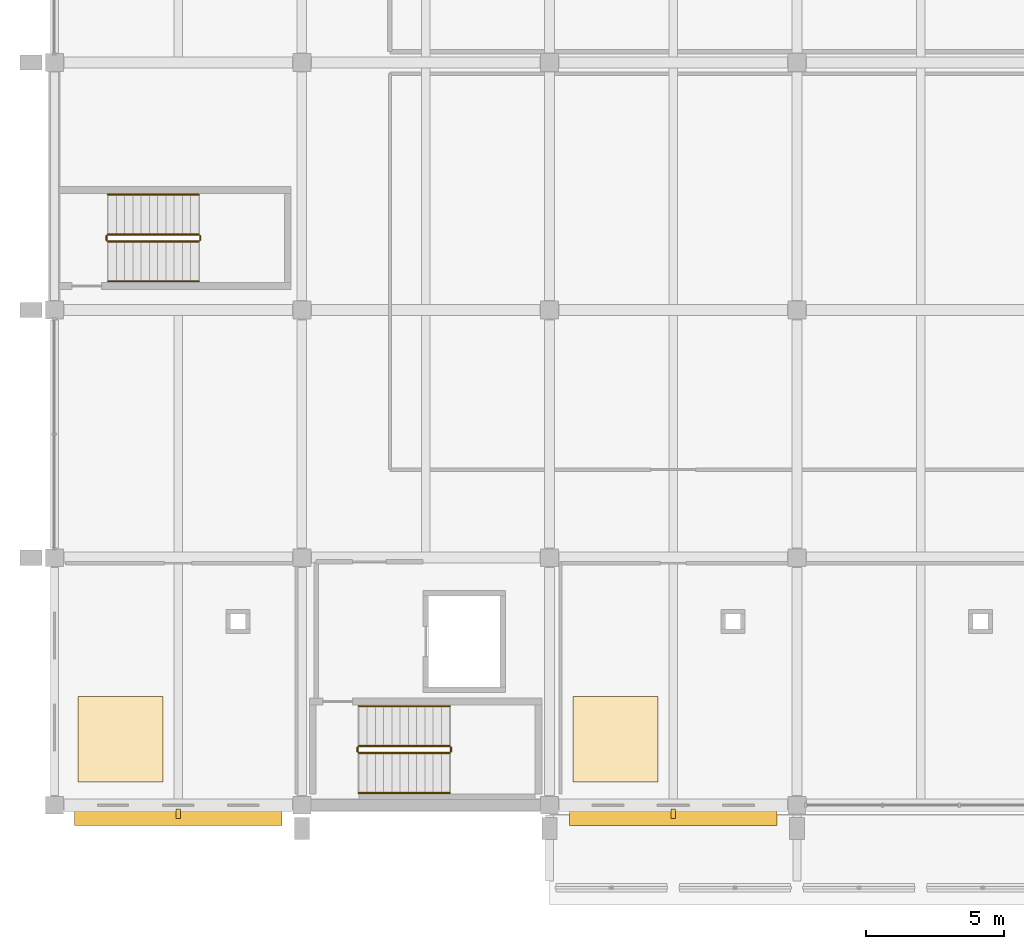
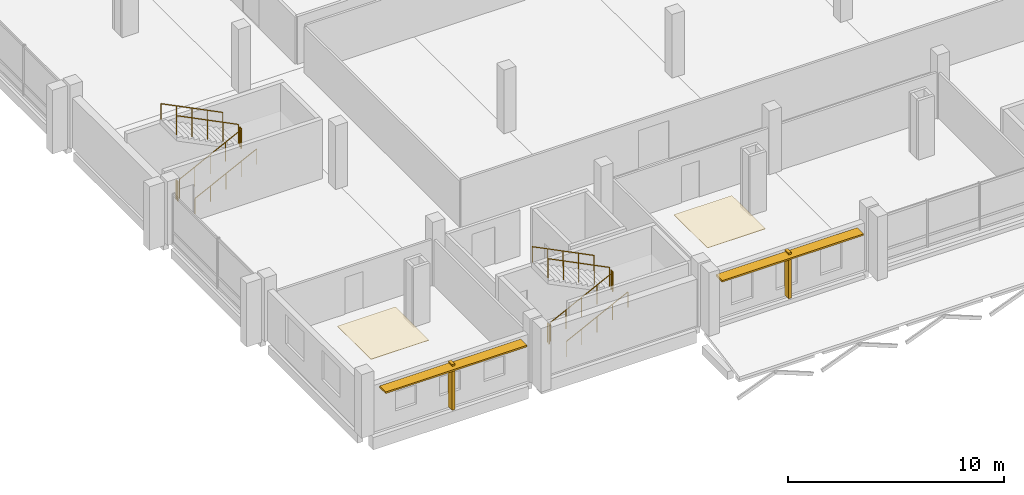
# One storey, part 119 of 132: 12 railings, 4 shading devices, 2 coverings.
"""IFC4 building model written with IfcOpenShell, lengths in metres."""

from ifc_helpers import new_model, si_unit, direction, frame, origin, origin_2d, place, context, subcontext, project, spatial, polyline, rectangle, circle, outline, extrude, material, layer, layer_set, type_object, element, save


model = new_model("IFC4")

# Units and contexts
model_context = context("Model", 3, precision=1e-05, world=origin(), true_north=direction((0.0, 1.0)))
body_context = subcontext(model_context, "Body", "Model", "MODEL_VIEW")
ifc_project = project(units=[si_unit("LENGTHUNIT", "METRE"), si_unit("AREAUNIT", "SQUARE_METRE"), si_unit("VOLUMEUNIT", "CUBIC_METRE"), si_unit("PLANEANGLEUNIT", "RADIAN"), si_unit("MASSUNIT", "GRAM", prefix="KILO")], contexts=[model_context])

# Site, building, storey
site_placement = place(None, origin())
site = spatial("IfcSite", under=ifc_project, at=site_placement, CompositionType="ELEMENT")
building_placement = place(site_placement, origin())
building = spatial("IfcBuilding", under=site, at=building_placement, Name="Tharagai Park Tramway Depot", CompositionType="ELEMENT")
storey_placement = place(building_placement, frame((0.0, 0.0, 4.800048828125)))
storey = spatial("IfcBuildingStorey", under=building, at=storey_placement, Name="L01", CompositionType="ELEMENT", Elevation=4.800048828125)

# Coverings
ifc_material_1 = material(Name="Acoustic mineral-fibre tile", Category="gypsum")
ifc_layer_1 = layer(ifc_material_1, 0.02490234375)
ifc_layer_set_1 = layer_set([ifc_layer_1], Name="Acoustic mineral-fibre tile")
covering_type = type_object("IfcCoveringType", Name="FN-02", PredefinedType="CEILING", material=ifc_layer_set_1)
covering_1_placement = place(storey_placement, frame((0.0, 0.0, 3.326904296875)))
element("IfcCovering", 1, at=covering_1_placement, inside=storey, type_object=covering_type, Name="Fleet Maintenance Planning Office Acoustic Ceiling", PredefinedType="CEILING", context=body_context, shape_type="SweptSolid", body=[
    extrude(outline(polyline([(0.85009765625, 0.85009765625), (3.949951171875, 0.85009765625), (3.949951171875, 3.949951171875), (0.85009765625, 3.949951171875), (0.85009765625, 0.85009765625)])), origin(), (0.0, 0.0, 1.0), 0.025146484375),
])
covering_2_placement = place(storey_placement, frame((0.0, 0.0, 3.326904296875)))
element("IfcCovering", 2, at=covering_2_placement, inside=storey, type_object=covering_type, Name="Rolling-Stock Engineering Studio Acoustic Ceiling", PredefinedType="CEILING", context=body_context, shape_type="SweptSolid", body=[
    extrude(outline(polyline([(18.85009765625, 0.85009765625), (21.949951171875, 0.85009765625), (21.949951171875, 3.949951171875), (18.85009765625, 3.949951171875), (18.85009765625, 0.85009765625)])), origin(), (0.0, 0.0, 1.0), 0.025146484375),
])

# Railings
ifc_material_2 = material(Name="Galvanised steel", Category="steel")
railing_type_1 = type_object("IfcRailingType", Name="HR-02", PredefinedType="GUARDRAIL", material=ifc_material_2)
railing_1_placement = place(storey_placement, frame((11.070068359375, 1.89990234375, 0.14990234375)))
element("IfcRailing", 3, at=railing_1_placement, inside=storey, type_object=railing_type_1, Name="L01 ST-01 stair guard 1", PredefinedType="GUARDRAIL", context=body_context, shape_type="SweptSolid", body=[
    extrude(circle(Radius=0.02392578125, at=origin_2d()), frame((0.0, 0.0, 1.076171875), z_axis=(0.894413956696, 0.0, 0.447240063129), x_axis=(0.0, 1.0, 0.0)), (0.0, 0.0, 1.0), 3.689697265625),
    extrude(circle(Radius=0.02099609375, at=origin_2d()), origin(), (0.0, 0.0, 1.0), 1.052001953125),
    extrude(circle(Radius=0.02099609375, at=origin_2d()), frame((0.824951171875, 0.0, 0.41259765625)), (0.0, 0.0, 1.0), 1.052001953125),
    extrude(circle(Radius=0.02099609375, at=origin_2d()), frame((1.64990234375, 0.0, 0.8251953125)), (0.0, 0.0, 1.0), 1.052001953125),
    extrude(circle(Radius=0.02099609375, at=origin_2d()), frame((2.47509765625, 0.0, 1.237548828125)), (0.0, 0.0, 1.0), 1.052001953125),
    extrude(circle(Radius=0.02099609375, at=origin_2d()), frame((3.300048828125, 0.0, 1.650146484375)), (0.0, 0.0, 1.0), 1.052001953125),
])
railing_2_placement = place(storey_placement, frame((14.419921875, 1.949951171875, 1.800048828125)))
element("IfcRailing", 4, at=railing_2_placement, inside=storey, type_object=railing_type_1, Name="L01 ST-01 stair guard 2", PredefinedType="GUARDRAIL", context=body_context, shape_type="SweptSolid", body=[
    extrude(circle(Radius=0.02392578125, at=origin_2d()), frame((0.0, 0.0, 1.076171875), z_axis=(0.0, 1.0, 0.0), x_axis=(-1.0, 0.0, 0.0)), (0.0, 0.0, 1.0), 0.150146484375),
    extrude(circle(Radius=0.02099609375, at=origin_2d()), origin(), (0.0, 0.0, 1.0), 1.052001953125),
    extrude(circle(Radius=0.02099609375, at=origin_2d()), frame((0.0, 0.150146484375, 0.0)), (0.0, 0.0, 1.0), 1.052001953125),
])
railing_3_placement = place(storey_placement, frame((14.3701171875, 2.14990234375, 1.949951171875)))
element("IfcRailing", 5, at=railing_3_placement, inside=storey, type_object=railing_type_1, Name="L01 ST-01 stair guard 3", PredefinedType="GUARDRAIL", context=body_context, shape_type="SweptSolid", body=[
    extrude(circle(Radius=0.02392578125, at=origin_2d()), frame((0.0, 0.0, 1.076171875), z_axis=(-0.894440424912, 0.0, 0.447187126696), x_axis=(0.0, -1.0, 0.0)), (0.0, 0.0, 1.0), 3.689453125),
    extrude(circle(Radius=0.02099609375, at=origin_2d()), origin(), (0.0, 0.0, 1.0), 1.052001953125),
    extrude(circle(Radius=0.02099609375, at=origin_2d()), frame((-0.824951171875, 0.0, 0.41259765625)), (0.0, 0.0, 1.0), 1.052001953125),
    extrude(circle(Radius=0.02099609375, at=origin_2d()), frame((-1.64990234375, 0.0, 0.824951171875)), (0.0, 0.0, 1.0), 1.052001953125),
    extrude(circle(Radius=0.02099609375, at=origin_2d()), frame((-2.47509765625, 0.0, 1.2373046875)), (0.0, 0.0, 1.0), 1.052001953125),
    extrude(circle(Radius=0.02099609375, at=origin_2d()), frame((-3.300048828125, 0.0, 1.64990234375)), (0.0, 0.0, 1.0), 1.052001953125),
])
railing_4_placement = place(storey_placement, frame((11.02001953125, 1.949951171875, 0.0)))
element("IfcRailing", 6, at=railing_4_placement, inside=storey, type_object=railing_type_1, Name="L01 ST-01 stair guard 4", PredefinedType="GUARDRAIL", context=body_context, shape_type="SweptSolid", body=[
    extrude(circle(Radius=0.02392578125, at=origin_2d()), frame((0.0, 0.0, 1.076171875), z_axis=(0.0, 1.0, 0.0), x_axis=(-1.0, 0.0, 0.0)), (0.0, 0.0, 1.0), 0.150146484375),
    extrude(circle(Radius=0.02099609375, at=origin_2d()), origin(), (0.0, 0.0, 1.0), 1.052001953125),
    extrude(circle(Radius=0.02099609375, at=origin_2d()), frame((0.0, 0.150146484375, 0.0)), (0.0, 0.0, 1.0), 1.052001953125),
])
railing_5_placement = place(storey_placement, frame((1.949951171875, 20.5, 0.14990234375)))
element("IfcRailing", 7, at=railing_5_placement, inside=storey, type_object=railing_type_1, Name="L01 ST-03 stair guard 1", PredefinedType="GUARDRAIL", context=body_context, shape_type="SweptSolid", body=[
    extrude(circle(Radius=0.02392578125, at=origin_2d()), frame((0.0, 0.0, 1.076171875), z_axis=(0.894413956696, 0.0, 0.447240063129), x_axis=(0.0, 1.0, 0.0)), (0.0, 0.0, 1.0), 3.689697265625),
    extrude(circle(Radius=0.02099609375, at=origin_2d()), origin(), (0.0, 0.0, 1.0), 1.052001953125),
    extrude(circle(Radius=0.02099609375, at=origin_2d()), frame((0.824951171875, 0.0, 0.41259765625)), (0.0, 0.0, 1.0), 1.052001953125),
    extrude(circle(Radius=0.02099609375, at=origin_2d()), frame((1.64990234375, 0.0, 0.8251953125)), (0.0, 0.0, 1.0), 1.052001953125),
    extrude(circle(Radius=0.02099609375, at=origin_2d()), frame((2.47509765625, 0.0, 1.237548828125)), (0.0, 0.0, 1.0), 1.052001953125),
    extrude(circle(Radius=0.02099609375, at=origin_2d()), frame((3.300048828125, 0.0, 1.650146484375)), (0.0, 0.0, 1.0), 1.052001953125),
])
railing_6_placement = place(storey_placement, frame((5.300048828125, 20.550048828125, 1.800048828125)))
element("IfcRailing", 8, at=railing_6_placement, inside=storey, type_object=railing_type_1, Name="L01 ST-03 stair guard 2", PredefinedType="GUARDRAIL", context=body_context, shape_type="SweptSolid", body=[
    extrude(circle(Radius=0.02392578125, at=origin_2d()), frame((0.0, 0.0, 1.076171875), z_axis=(0.0, 1.0, 0.0), x_axis=(-1.0, 0.0, 0.0)), (0.0, 0.0, 1.0), 0.14990234375),
    extrude(circle(Radius=0.02099609375, at=origin_2d()), origin(), (0.0, 0.0, 1.0), 1.052001953125),
    extrude(circle(Radius=0.02099609375, at=origin_2d()), frame((0.0, 0.14990234375, 0.0)), (0.0, 0.0, 1.0), 1.052001953125),
])
railing_7_placement = place(storey_placement, frame((5.25, 20.75, 1.949951171875)))
element("IfcRailing", 9, at=railing_7_placement, inside=storey, type_object=railing_type_1, Name="L01 ST-03 stair guard 3", PredefinedType="GUARDRAIL", context=body_context, shape_type="SweptSolid", body=[
    extrude(circle(Radius=0.02392578125, at=origin_2d()), frame((0.0, 0.0, 1.076171875), z_axis=(-0.894440424912, 0.0, 0.447187126696), x_axis=(0.0, -1.0, 0.0)), (0.0, 0.0, 1.0), 3.689453125),
    extrude(circle(Radius=0.02099609375, at=origin_2d()), origin(), (0.0, 0.0, 1.0), 1.052001953125),
    extrude(circle(Radius=0.02099609375, at=origin_2d()), frame((-0.824951171875, 0.0, 0.41259765625)), (0.0, 0.0, 1.0), 1.052001953125),
    extrude(circle(Radius=0.02099609375, at=origin_2d()), frame((-1.64990234375, 0.0, 0.824951171875)), (0.0, 0.0, 1.0), 1.052001953125),
    extrude(circle(Radius=0.02099609375, at=origin_2d()), frame((-2.47509765625, 0.0, 1.2373046875)), (0.0, 0.0, 1.0), 1.052001953125),
    extrude(circle(Radius=0.02099609375, at=origin_2d()), frame((-3.300048828125, 0.0, 1.64990234375)), (0.0, 0.0, 1.0), 1.052001953125),
])
railing_8_placement = place(storey_placement, frame((1.89990234375, 20.550048828125, 0.0)))
element("IfcRailing", 10, at=railing_8_placement, inside=storey, type_object=railing_type_1, Name="L01 ST-03 stair guard 4", PredefinedType="GUARDRAIL", context=body_context, shape_type="SweptSolid", body=[
    extrude(circle(Radius=0.02392578125, at=origin_2d()), frame((0.0, 0.0, 1.076171875), z_axis=(0.0, 1.0, 0.0), x_axis=(-1.0, 0.0, 0.0)), (0.0, 0.0, 1.0), 0.14990234375),
    extrude(circle(Radius=0.02099609375, at=origin_2d()), origin(), (0.0, 0.0, 1.0), 1.052001953125),
    extrude(circle(Radius=0.02099609375, at=origin_2d()), frame((0.0, 0.14990234375, 0.0)), (0.0, 0.0, 1.0), 1.052001953125),
])
railing_type_2 = type_object("IfcRailingType", Name="HR-03", PredefinedType="HANDRAIL", material=ifc_material_2)
railing_9_placement = place(storey_placement, frame((11.070068359375, 0.449951171875, 0.14990234375)))
element("IfcRailing", 11, at=railing_9_placement, inside=storey, type_object=railing_type_2, Name="L01 ST-01 stair handrail 1", PredefinedType="HANDRAIL", context=body_context, shape_type="SweptSolid", body=[
    extrude(circle(Radius=0.02392578125, at=origin_2d()), frame((0.0, 0.0, 0.8759765625), z_axis=(0.894413956696, 0.0, 0.447240063129), x_axis=(0.0, 1.0, 0.0)), (0.0, 0.0, 1.0), 3.689697265625),
    extrude(circle(Radius=0.02099609375, at=origin_2d()), origin(), (0.0, 0.0, 1.0), 0.851806640625),
    extrude(circle(Radius=0.02099609375, at=origin_2d()), frame((0.824951171875, 0.0, 0.41259765625)), (0.0, 0.0, 1.0), 0.851806640625),
    extrude(circle(Radius=0.02099609375, at=origin_2d()), frame((1.64990234375, 0.0, 0.8251953125)), (0.0, 0.0, 1.0), 0.851806640625),
    extrude(circle(Radius=0.02099609375, at=origin_2d()), frame((2.47509765625, 0.0, 1.237548828125)), (0.0, 0.0, 1.0), 0.851806640625),
    extrude(circle(Radius=0.02099609375, at=origin_2d()), frame((3.300048828125, 0.0, 1.650146484375)), (0.0, 0.0, 1.0), 0.851806640625),
])
railing_10_placement = place(storey_placement, frame((14.3701171875, 3.60009765625, 1.949951171875)))
element("IfcRailing", 12, at=railing_10_placement, inside=storey, type_object=railing_type_2, Name="L01 ST-01 stair handrail 2", PredefinedType="HANDRAIL", context=body_context, shape_type="SweptSolid", body=[
    extrude(circle(Radius=0.02392578125, at=origin_2d()), frame((0.0, 0.0, 0.8759765625), z_axis=(-0.894440424912, 0.0, 0.447187126696), x_axis=(0.0, -1.0, 0.0)), (0.0, 0.0, 1.0), 3.689453125),
    extrude(circle(Radius=0.02099609375, at=origin_2d()), origin(), (0.0, 0.0, 1.0), 0.851806640625),
    extrude(circle(Radius=0.02099609375, at=origin_2d()), frame((-0.824951171875, 0.0, 0.41259765625)), (0.0, 0.0, 1.0), 0.851806640625),
    extrude(circle(Radius=0.02099609375, at=origin_2d()), frame((-1.64990234375, 0.0, 0.824951171875)), (0.0, 0.0, 1.0), 0.851806640625),
    extrude(circle(Radius=0.02099609375, at=origin_2d()), frame((-2.47509765625, 0.0, 1.2373046875)), (0.0, 0.0, 1.0), 0.851806640625),
    extrude(circle(Radius=0.02099609375, at=origin_2d()), frame((-3.300048828125, 0.0, 1.64990234375)), (0.0, 0.0, 1.0), 0.851806640625),
])
railing_11_placement = place(storey_placement, frame((1.949951171875, 19.050048828125, 0.14990234375)))
element("IfcRailing", 13, at=railing_11_placement, inside=storey, type_object=railing_type_2, Name="L01 ST-03 stair handrail 1", PredefinedType="HANDRAIL", context=body_context, shape_type="SweptSolid", body=[
    extrude(circle(Radius=0.02392578125, at=origin_2d()), frame((0.0, 0.0, 0.8759765625), z_axis=(0.894413956696, 0.0, 0.447240063129), x_axis=(0.0, 1.0, 0.0)), (0.0, 0.0, 1.0), 3.689697265625),
    extrude(circle(Radius=0.02099609375, at=origin_2d()), origin(), (0.0, 0.0, 1.0), 0.851806640625),
    extrude(circle(Radius=0.02099609375, at=origin_2d()), frame((0.824951171875, 0.0, 0.41259765625)), (0.0, 0.0, 1.0), 0.851806640625),
    extrude(circle(Radius=0.02099609375, at=origin_2d()), frame((1.64990234375, 0.0, 0.8251953125)), (0.0, 0.0, 1.0), 0.851806640625),
    extrude(circle(Radius=0.02099609375, at=origin_2d()), frame((2.47509765625, 0.0, 1.237548828125)), (0.0, 0.0, 1.0), 0.851806640625),
    extrude(circle(Radius=0.02099609375, at=origin_2d()), frame((3.300048828125, 0.0, 1.650146484375)), (0.0, 0.0, 1.0), 0.851806640625),
])
railing_12_placement = place(storey_placement, frame((5.25, 22.199951171875, 1.949951171875)))
element("IfcRailing", 14, at=railing_12_placement, inside=storey, type_object=railing_type_2, Name="L01 ST-03 stair handrail 2", PredefinedType="HANDRAIL", context=body_context, shape_type="SweptSolid", body=[
    extrude(circle(Radius=0.02392578125, at=origin_2d()), frame((0.0, 0.0, 0.8759765625), z_axis=(-0.894440424912, 0.0, 0.447187126696), x_axis=(0.0, -1.0, 0.0)), (0.0, 0.0, 1.0), 3.689453125),
    extrude(circle(Radius=0.02099609375, at=origin_2d()), origin(), (0.0, 0.0, 1.0), 0.851806640625),
    extrude(circle(Radius=0.02099609375, at=origin_2d()), frame((-0.824951171875, 0.0, 0.41259765625)), (0.0, 0.0, 1.0), 0.851806640625),
    extrude(circle(Radius=0.02099609375, at=origin_2d()), frame((-1.64990234375, 0.0, 0.824951171875)), (0.0, 0.0, 1.0), 0.851806640625),
    extrude(circle(Radius=0.02099609375, at=origin_2d()), frame((-2.47509765625, 0.0, 1.2373046875)), (0.0, 0.0, 1.0), 0.851806640625),
    extrude(circle(Radius=0.02099609375, at=origin_2d()), frame((-3.300048828125, 0.0, 1.64990234375)), (0.0, 0.0, 1.0), 0.851806640625),
])

# Shading devices
ifc_material_3 = material(Name="Anodised aluminium", Category="aluminium")
ifc_layer_2 = layer(ifc_material_3, 0.090087890625)
ifc_layer_set_2 = layer_set([ifc_layer_2], Name="Anodised aluminium")
shading_device_type_1 = type_object("IfcShadingDeviceType", Name="SD-01", PredefinedType="SHUTTER", material=ifc_layer_set_2)
for number, where, z_axis, x_axis, name in (
    (15, (4.5, -0.449951171875, 2.4169921875), (0.0, 0.0, 1.0), (1.0, 0.0, 0.0), "Monsoon Storm Louvre Hood SD-01 #1"),
    (16, (22.5, -0.449951171875, 2.4169921875), (0.0, 0.0, 1.0), (1.0, 0.0, 0.0), "Monsoon Storm Louvre Hood SD-01 #2"),
):
    element("IfcShadingDevice", number, at=place(storey_placement, frame(where, z_axis=z_axis, x_axis=x_axis)), inside=storey, type_object=shading_device_type_1, Name=name, PredefinedType="SHUTTER", context=body_context, shape_type="SweptSolid", body=[
        extrude(rectangle(XDim=7.553955078125, YDim=0.580078125, at=origin_2d()), origin(), (0.0, 0.0, 1.0), 0.090087890625),
    ])
ifc_material_4 = material(Name="Charnockite stone", Category="masonry")
ifc_layer_3 = layer(ifc_material_4, 0.159912109375)
ifc_layer_set_3 = layer_set([ifc_layer_3], Name="Charnockite stone")
shading_device_type_2 = type_object("IfcShadingDeviceType", Name="SD-02", PredefinedType="JALOUSIE", material=ifc_layer_set_3)
for number, where, z_axis, x_axis, name in (
    (17, (4.5, -0.31005859375, 0.030029296875), (0.0, 0.0, 1.0), (1.0, 0.0, 0.0), "Charnockite Gothic Lancet Mullion Fin SD-02 #1"),
    (18, (22.5, -0.31005859375, 0.030029296875), (0.0, 0.0, 1.0), (1.0, 0.0, 0.0), "Charnockite Gothic Lancet Mullion Fin SD-02 #2"),
):
    element("IfcShadingDevice", number, at=place(storey_placement, frame(where, z_axis=z_axis, x_axis=x_axis)), inside=storey, type_object=shading_device_type_2, Name=name, PredefinedType="JALOUSIE", context=body_context, shape_type="SweptSolid", body=[
        extrude(rectangle(XDim=0.159912109375, YDim=0.360107421875, at=origin_2d()), origin(), (0.0, 0.0, 1.0), 2.58203125),
    ])

save(model, "model.ifc")
